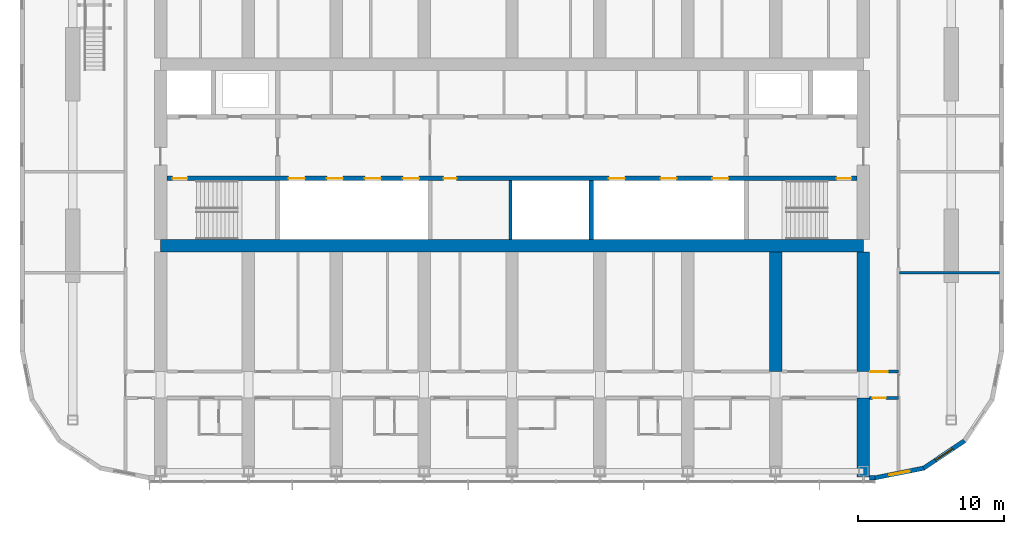
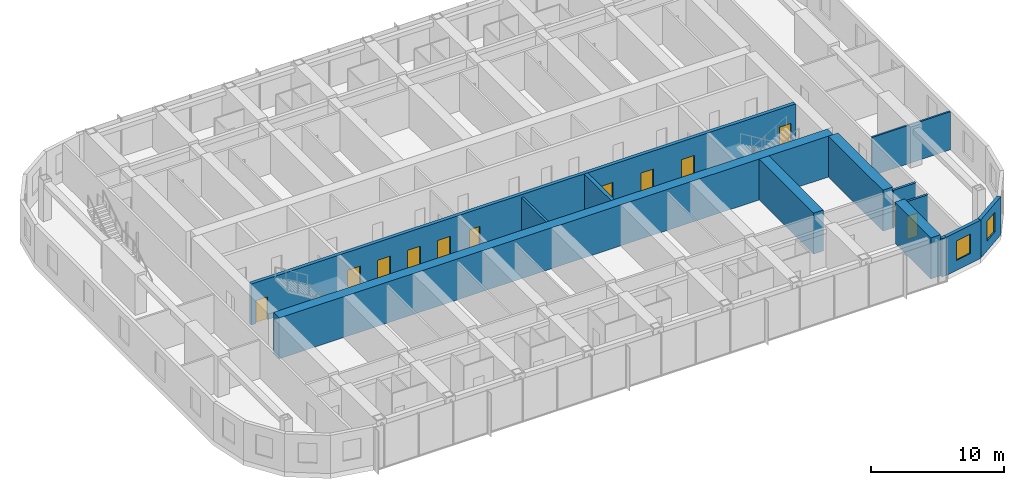
# One storey, part 17 of 29: 13 walls, 12 doors, 2 windows, 14 openings.
"""IFC4 building model written with IfcOpenShell, lengths in metres."""

from ifc_helpers import new_model, si_unit, direction, frame, frame_2d, origin, place, context, subcontext, project, spatial, polyline, rectangle, outline, extrude, material, layer, layer_set, type_object, element, fill, save


model = new_model("IFC4")

# Units and contexts
model_context = context("Model", 3, precision=1e-05, world=origin(), true_north=direction((0.0, 1.0)))
body_context = subcontext(model_context, "Body", "Model", "MODEL_VIEW")
ifc_project = project(units=[si_unit("LENGTHUNIT", "METRE"), si_unit("AREAUNIT", "SQUARE_METRE"), si_unit("VOLUMEUNIT", "CUBIC_METRE"), si_unit("PLANEANGLEUNIT", "RADIAN"), si_unit("MASSUNIT", "GRAM", prefix="KILO")], contexts=[model_context])

# Site, building, storey
site_placement = place(None, origin())
site = spatial("IfcSite", under=ifc_project, at=site_placement, CompositionType="ELEMENT")
building_placement = place(site_placement, origin())
building = spatial("IfcBuilding", under=site, at=building_placement, Name="Orbita Commons", CompositionType="ELEMENT")
storey_placement = place(building_placement, frame((0.0, 0.0, 163.60009765625)))
storey = spatial("IfcBuildingStorey", under=building, at=storey_placement, Name="L40", CompositionType="ELEMENT", Elevation=163.60009765625)

# Wall, openings, doors
ifc_material_1 = material(Name="Concrete C50/60", Category="concrete")
ifc_layer_1 = layer(ifc_material_1, 0.300048828125)
ifc_layer_set_1 = layer_set([ifc_layer_1], Name="Concrete C50/60")
wall_type_1 = type_object("IfcWallType", Name="Core inner wall 300 C50/60", PredefinedType="SHEAR", material=ifc_layer_set_1)
wall_1_placement = place(storey_placement, frame((18.425048828125, 30.39990234375, 0.0), z_axis=(0.0, 0.0, 1.0), x_axis=(1.0, 0.0, 0.0)))
wall_1 = element("IfcWall", 1, at=wall_1_placement, inside=storey, type_object=wall_type_1, Name="Lobby wall south L40", PredefinedType="SHEAR", context=body_context, shape_type="SweptSolid", body=[
    extrude(rectangle(XDim=47.14990234375, YDim=0.300048828125, at=frame_2d((23.574951171875, 0.0))), origin(), (0.0, 0.0, 1.0), 3.75),
])
opening_1_placement = place(wall_1_placement, frame((0.39990234375, 0.0, 0.0)))
opening_1 = element("IfcOpeningElement", 2, at=opening_1_placement, cuts=wall_1, Name="Opening D02", PredefinedType="OPENING", context=body_context, shape_type="SweptSolid", body=[
    extrude(rectangle(XDim=1.0, YDim=2.10009765625, at=frame_2d((0.5, 1.050048828125))), frame((0.0, 0.159912109375, 0.0), z_axis=(0.0, -1.0, 0.0), x_axis=(1.0, 0.0, 0.0)), (0.0, 0.0, 1.0), 0.320068359375),
])
opening_2_placement = place(wall_1_placement, frame((45.75, 0.0, 0.0)))
opening_2 = element("IfcOpeningElement", 3, at=opening_2_placement, cuts=wall_1, Name="Opening D02", PredefinedType="OPENING", context=body_context, shape_type="SweptSolid", body=[
    extrude(rectangle(XDim=1.0, YDim=2.10009765625, at=frame_2d((0.5, 1.050048828125))), frame((0.0, 0.159912109375, 0.0), z_axis=(0.0, -1.0, 0.0), x_axis=(1.0, 0.0, 0.0)), (0.0, 0.0, 1.0), 0.320068359375),
])
opening_3_placement = place(wall_1_placement, frame((8.324951171875, 0.0, 0.0)))
opening_3 = element("IfcOpeningElement", 4, at=opening_3_placement, cuts=wall_1, Name="Opening LD02", PredefinedType="OPENING", context=body_context, shape_type="SweptSolid", body=[
    extrude(rectangle(XDim=1.10009765625, YDim=2.10009765625, at=frame_2d((0.550048828125, 1.050048828125))), frame((0.0, 0.159912109375, 0.0), z_axis=(0.0, -1.0, 0.0), x_axis=(1.0, 0.0, 0.0)), (0.0, 0.0, 1.0), 0.320068359375),
])
opening_4_placement = place(wall_1_placement, frame((10.925048828125, 0.0, 0.0)))
opening_4 = element("IfcOpeningElement", 5, at=opening_4_placement, cuts=wall_1, Name="Opening LD02", PredefinedType="OPENING", context=body_context, shape_type="SweptSolid", body=[
    extrude(rectangle(XDim=1.10009765625, YDim=2.10009765625, at=frame_2d((0.550048828125, 1.050048828125))), frame((0.0, 0.159912109375, 0.0), z_axis=(0.0, -1.0, 0.0), x_axis=(1.0, 0.0, 0.0)), (0.0, 0.0, 1.0), 0.320068359375),
])
opening_5_placement = place(wall_1_placement, frame((13.52490234375, 0.0, 0.0)))
opening_5 = element("IfcOpeningElement", 6, at=opening_5_placement, cuts=wall_1, Name="Opening LD02", PredefinedType="OPENING", context=body_context, shape_type="SweptSolid", body=[
    extrude(rectangle(XDim=1.10009765625, YDim=2.10009765625, at=frame_2d((0.550048828125, 1.050048828125))), frame((0.0, 0.159912109375, 0.0), z_axis=(0.0, -1.0, 0.0), x_axis=(1.0, 0.0, 0.0)), (0.0, 0.0, 1.0), 0.320068359375),
])
opening_6_placement = place(wall_1_placement, frame((16.125, 0.0, 0.0)))
opening_6 = element("IfcOpeningElement", 7, at=opening_6_placement, cuts=wall_1, Name="Opening LD02", PredefinedType="OPENING", context=body_context, shape_type="SweptSolid", body=[
    extrude(rectangle(XDim=1.10009765625, YDim=2.10009765625, at=frame_2d((0.550048828125, 1.050048828125))), frame((0.0, 0.159912109375, 0.0), z_axis=(0.0, -1.0, 0.0), x_axis=(1.0, 0.0, 0.0)), (0.0, 0.0, 1.0), 0.320068359375),
])
opening_7_placement = place(wall_1_placement, frame((18.89990234375, 0.0, 0.0)))
opening_7 = element("IfcOpeningElement", 8, at=opening_7_placement, cuts=wall_1, Name="Opening D05", PredefinedType="OPENING", context=body_context, shape_type="SweptSolid", body=[
    extrude(rectangle(XDim=0.89990234375, YDim=2.10009765625, at=frame_2d((0.449951171875, 1.050048828125))), frame((0.0, 0.159912109375, 0.0), z_axis=(0.0, -1.0, 0.0), x_axis=(1.0, 0.0, 0.0)), (0.0, 0.0, 1.0), 0.320068359375),
])
opening_8_placement = place(wall_1_placement, frame((30.191650390625, 0.0, 0.0)))
opening_8 = element("IfcOpeningElement", 9, at=opening_8_placement, cuts=wall_1, Name="Opening LD02", PredefinedType="OPENING", context=body_context, shape_type="SweptSolid", body=[
    extrude(rectangle(XDim=1.10009765625, YDim=2.10009765625, at=frame_2d((0.550048828125, 1.050048828125))), frame((0.0, 0.159912109375, 0.0), z_axis=(0.0, -1.0, 0.0), x_axis=(1.0, 0.0, 0.0)), (0.0, 0.0, 1.0), 0.320068359375),
])
opening_9_placement = place(wall_1_placement, frame((33.72509765625, 0.0, 0.0)))
opening_9 = element("IfcOpeningElement", 10, at=opening_9_placement, cuts=wall_1, Name="Opening LD02", PredefinedType="OPENING", context=body_context, shape_type="SweptSolid", body=[
    extrude(rectangle(XDim=1.10009765625, YDim=2.10009765625, at=frame_2d((0.550048828125, 1.050048828125))), frame((0.0, 0.159912109375, 0.0), z_axis=(0.0, -1.0, 0.0), x_axis=(1.0, 0.0, 0.0)), (0.0, 0.0, 1.0), 0.320068359375),
])
opening_10_placement = place(wall_1_placement, frame((37.25830078125, 0.0, 0.0)))
opening_10 = element("IfcOpeningElement", 11, at=opening_10_placement, cuts=wall_1, Name="Opening LD02", PredefinedType="OPENING", context=body_context, shape_type="SweptSolid", body=[
    extrude(rectangle(XDim=1.10009765625, YDim=2.10009765625, at=frame_2d((0.550048828125, 1.050048828125))), frame((0.0, 0.159912109375, 0.0), z_axis=(0.0, -1.0, 0.0), x_axis=(1.0, 0.0, 0.0)), (0.0, 0.0, 1.0), 0.320068359375),
])
ifc_material_2 = material(Name="Steel-faced fire door leaf", Category="steel")
door_type_1 = type_object("IfcDoorType", Name="Fire door 90 min 1000x2100", OperationType="SINGLE_SWING_LEFT", PredefinedType="DOOR", material=ifc_material_2)
door_1_placement = place(opening_1_placement, origin())
door_1 = element("IfcDoor", 12, at=door_1_placement, inside=storey, type_object=door_type_1, Name="Stair S1 door", OperationType="SINGLE_SWING_LEFT", OverallHeight=2.10009765625, OverallWidth=1.0, PredefinedType="DOOR", context=body_context, shape_type="SweptSolid", body=[
    extrude(rectangle(XDim=1.0, YDim=2.10009765625, at=frame_2d((0.5, 1.050048828125))), frame((0.0, 0.02490234375, 0.0), z_axis=(0.0, -1.0, 0.0), x_axis=(1.0, 0.0, 0.0)), (0.0, 0.0, 1.0), 0.050048828125),
])
fill(opening_1, door_1)
door_2_placement = place(opening_2_placement, origin())
door_2 = element("IfcDoor", 13, at=door_2_placement, inside=storey, type_object=door_type_1, Name="Stair S2 door", OperationType="SINGLE_SWING_LEFT", OverallHeight=2.10009765625, OverallWidth=1.0, PredefinedType="DOOR", context=body_context, shape_type="SweptSolid", body=[
    extrude(rectangle(XDim=1.0, YDim=2.10009765625, at=frame_2d((0.5, 1.050048828125))), frame((0.0, 0.02490234375, 0.0), z_axis=(0.0, -1.0, 0.0), x_axis=(1.0, 0.0, 0.0)), (0.0, 0.0, 1.0), 0.050048828125),
])
fill(opening_2, door_2)
ifc_material_3 = material(Name="Steel-faced fire door leaf", Category="steel")
door_type_2 = type_object("IfcDoorType", Name="Lift landing door 1100x2100", OperationType="DOUBLE_DOOR_SLIDING", PredefinedType="DOOR", material=ifc_material_3)
door_3_placement = place(opening_3_placement, origin())
door_3 = element("IfcDoor", 14, at=door_3_placement, inside=storey, type_object=door_type_2, Name="Lift P31 landing door", OperationType="DOUBLE_DOOR_SLIDING", OverallHeight=2.10009765625, OverallWidth=1.10009765625, PredefinedType="DOOR", context=body_context, shape_type="SweptSolid", body=[
    extrude(rectangle(XDim=1.10009765625, YDim=2.10009765625, at=frame_2d((0.550048828125, 1.050048828125))), frame((0.0, 0.02490234375, 0.0), z_axis=(0.0, -1.0, 0.0), x_axis=(1.0, 0.0, 0.0)), (0.0, 0.0, 1.0), 0.050048828125),
])
fill(opening_3, door_3)
door_4_placement = place(opening_4_placement, origin())
door_4 = element("IfcDoor", 15, at=door_4_placement, inside=storey, type_object=door_type_2, Name="Lift P32 landing door", OperationType="DOUBLE_DOOR_SLIDING", OverallHeight=2.10009765625, OverallWidth=1.10009765625, PredefinedType="DOOR", context=body_context, shape_type="SweptSolid", body=[
    extrude(rectangle(XDim=1.10009765625, YDim=2.10009765625, at=frame_2d((0.550048828125, 1.050048828125))), frame((0.0, 0.02490234375, 0.0), z_axis=(0.0, -1.0, 0.0), x_axis=(1.0, 0.0, 0.0)), (0.0, 0.0, 1.0), 0.050048828125),
])
fill(opening_4, door_4)
door_5_placement = place(opening_5_placement, origin())
door_5 = element("IfcDoor", 16, at=door_5_placement, inside=storey, type_object=door_type_2, Name="Lift P33 landing door", OperationType="DOUBLE_DOOR_SLIDING", OverallHeight=2.10009765625, OverallWidth=1.10009765625, PredefinedType="DOOR", context=body_context, shape_type="SweptSolid", body=[
    extrude(rectangle(XDim=1.10009765625, YDim=2.10009765625, at=frame_2d((0.550048828125, 1.050048828125))), frame((0.0, 0.02490234375, 0.0), z_axis=(0.0, -1.0, 0.0), x_axis=(1.0, 0.0, 0.0)), (0.0, 0.0, 1.0), 0.050048828125),
])
fill(opening_5, door_5)
door_6_placement = place(opening_6_placement, origin())
door_6 = element("IfcDoor", 17, at=door_6_placement, inside=storey, type_object=door_type_2, Name="Lift P34 landing door", OperationType="DOUBLE_DOOR_SLIDING", OverallHeight=2.10009765625, OverallWidth=1.10009765625, PredefinedType="DOOR", context=body_context, shape_type="SweptSolid", body=[
    extrude(rectangle(XDim=1.10009765625, YDim=2.10009765625, at=frame_2d((0.550048828125, 1.050048828125))), frame((0.0, 0.02490234375, 0.0), z_axis=(0.0, -1.0, 0.0), x_axis=(1.0, 0.0, 0.0)), (0.0, 0.0, 1.0), 0.050048828125),
])
fill(opening_6, door_6)
door_7_placement = place(opening_8_placement, origin())
door_7 = element("IfcDoor", 18, at=door_7_placement, inside=storey, type_object=door_type_2, Name="Lift SV1 landing door", OperationType="DOUBLE_DOOR_SLIDING", OverallHeight=2.10009765625, OverallWidth=1.10009765625, PredefinedType="DOOR", context=body_context, shape_type="SweptSolid", body=[
    extrude(rectangle(XDim=1.10009765625, YDim=2.10009765625, at=frame_2d((0.550048828125, 1.050048828125))), frame((0.0, 0.02490234375, 0.0), z_axis=(0.0, -1.0, 0.0), x_axis=(1.0, 0.0, 0.0)), (0.0, 0.0, 1.0), 0.050048828125),
])
fill(opening_8, door_7)
door_8_placement = place(opening_9_placement, origin())
door_8 = element("IfcDoor", 19, at=door_8_placement, inside=storey, type_object=door_type_2, Name="Lift SV2 landing door", OperationType="DOUBLE_DOOR_SLIDING", OverallHeight=2.10009765625, OverallWidth=1.10009765625, PredefinedType="DOOR", context=body_context, shape_type="SweptSolid", body=[
    extrude(rectangle(XDim=1.10009765625, YDim=2.10009765625, at=frame_2d((0.550048828125, 1.050048828125))), frame((0.0, 0.02490234375, 0.0), z_axis=(0.0, -1.0, 0.0), x_axis=(1.0, 0.0, 0.0)), (0.0, 0.0, 1.0), 0.050048828125),
])
fill(opening_9, door_8)
door_9_placement = place(opening_10_placement, origin())
door_9 = element("IfcDoor", 20, at=door_9_placement, inside=storey, type_object=door_type_2, Name="Lift SV3 landing door", OperationType="DOUBLE_DOOR_SLIDING", OverallHeight=2.10009765625, OverallWidth=1.10009765625, PredefinedType="DOOR", context=body_context, shape_type="SweptSolid", body=[
    extrude(rectangle(XDim=1.10009765625, YDim=2.10009765625, at=frame_2d((0.550048828125, 1.050048828125))), frame((0.0, 0.02490234375, 0.0), z_axis=(0.0, -1.0, 0.0), x_axis=(1.0, 0.0, 0.0)), (0.0, 0.0, 1.0), 0.050048828125),
])
fill(opening_10, door_9)
ifc_material_4 = material(Name="Steel-faced fire door leaf", Category="steel")
door_type_3 = type_object("IfcDoorType", Name="Service door 20 min 900x2100", OperationType="SINGLE_SWING_LEFT", PredefinedType="DOOR", material=ifc_material_4)
door_10_placement = place(opening_7_placement, origin())
door_10 = element("IfcDoor", 21, at=door_10_placement, inside=storey, type_object=door_type_3, Name="Telecoms room door", OperationType="SINGLE_SWING_LEFT", OverallHeight=2.10009765625, OverallWidth=0.89990234375, PredefinedType="DOOR", context=body_context, shape_type="SweptSolid", body=[
    extrude(rectangle(XDim=0.89990234375, YDim=2.10009765625, at=frame_2d((0.449951171875, 1.050048828125))), frame((0.0, 0.02490234375, 0.0), z_axis=(0.0, -1.0, 0.0), x_axis=(1.0, 0.0, 0.0)), (0.0, 0.0, 1.0), 0.050048828125),
])
fill(opening_7, door_10)

# Walls
wall_2_placement = place(storey_placement, frame((47.39990234375, 26.22509765625, 0.0), z_axis=(0.0, 0.0, 1.0), x_axis=(0.0, 1.0, 0.0)))
element("IfcWall", 22, at=wall_2_placement, inside=storey, type_object=wall_type_1, Name="Hoistway division wall L40", PredefinedType="SHEAR", context=body_context, shape_type="SweptSolid", body=[
    extrude(rectangle(XDim=4.02490234375, YDim=0.300048828125, at=frame_2d((2.012451171875, 0.0))), origin(), (0.0, 0.0, 1.0), 3.75),
])
ifc_material_5 = material(Name="Concrete C50/60", Category="concrete")
ifc_layer_2 = layer(ifc_material_5, 0.85009765625)
ifc_layer_set_2 = layer_set([ifc_layer_2], Name="Concrete C50/60")
wall_type_2 = type_object("IfcWallType", Name="Core wall 850 C50/60", PredefinedType="SHEAR", material=ifc_layer_set_2)
wall_3_placement = place(storey_placement, frame((18.0, 25.800048828125, 0.0), z_axis=(0.0, 0.0, 1.0), x_axis=(1.0, 0.0, 0.0)))
element("IfcWall", 23, at=wall_3_placement, inside=storey, type_object=wall_type_2, Name="Core spine wall south L40", PredefinedType="SHEAR", context=body_context, shape_type="SweptSolid", body=[
    extrude(rectangle(XDim=48.0, YDim=0.85009765625, at=frame_2d((24.0, 0.0))), origin(), (0.0, 0.0, 1.0), 3.75),
])

# Wall, opening, door
ifc_material_6 = material(Name="Concrete blockwork", Category="masonry")
ifc_layer_3 = layer(ifc_material_6, 0.199951171875)
ifc_layer_set_3 = layer_set([ifc_layer_3], Name="Concrete blockwork")
wall_type_3 = type_object("IfcWallType", Name="Corridor wall 200 blockwork", PredefinedType="SOLIDWALL", material=ifc_layer_set_3)
wall_4_placement = place(storey_placement, frame((66.425048828125, 15.39990234375, 0.0), z_axis=(0.0, 0.0, 1.0), x_axis=(1.0, 0.0, 0.0)))
wall_4 = element("IfcWall", 24, at=wall_4_placement, inside=storey, type_object=wall_type_3, Name="Corridor wall 200 blockwork L40", PredefinedType="SOLIDWALL", context=body_context, shape_type="SweptSolid", body=[
    extrude(rectangle(XDim=1.974853515625, YDim=0.199951171875, at=frame_2d((0.9873046875, 0.0))), origin(), (0.0, 0.0, 1.0), 3.5),
])
opening_11_placement = place(wall_4_placement, frame((0.199951171875, 0.0, 0.0)))
opening_11 = element("IfcOpeningElement", 25, at=opening_11_placement, cuts=wall_4, Name="Opening D05", PredefinedType="OPENING", context=body_context, shape_type="SweptSolid", body=[
    extrude(rectangle(XDim=0.89990234375, YDim=2.10009765625, at=frame_2d((0.449951171875, 1.050048828125))), frame((0.0, 0.10986328125, 0.0), z_axis=(0.0, -1.0, 0.0), x_axis=(1.0, 0.0, 0.0)), (0.0, 0.0, 1.0), 0.219970703125),
])
door_11_placement = place(opening_11_placement, origin())
door_11 = element("IfcDoor", 26, at=door_11_placement, inside=storey, type_object=door_type_3, Name="Linen store L40-KES door", OperationType="SINGLE_SWING_LEFT", OverallHeight=2.10009765625, OverallWidth=0.89990234375, PredefinedType="DOOR", context=body_context, shape_type="SweptSolid", body=[
    extrude(rectangle(XDim=0.89990234375, YDim=2.10009765625, at=frame_2d((0.449951171875, 1.050048828125))), frame((0.0, 0.02490234375, 0.0), z_axis=(0.0, -1.0, 0.0), x_axis=(1.0, 0.0, 0.0)), (0.0, 0.0, 1.0), 0.050048828125),
])
fill(opening_11, door_11)

ifc_material_7 = material(Name="Hollow concrete block 200", Category="concrete")
ifc_layer_4 = layer(ifc_material_7, 0.199951171875)
ifc_layer_set_4 = layer_set([ifc_layer_4], Name="Hollow concrete block 200")
wall_type_4 = type_object("IfcWallType", Name="Corridor wall 200 hollow concrete block", PredefinedType="SOLIDWALL", material=ifc_layer_set_4)
wall_5_placement = place(storey_placement, frame((66.425048828125, 17.199951171875, 0.0), z_axis=(0.0, 0.0, 1.0), x_axis=(1.0, 0.0, 0.0)))
wall_5 = element("IfcWall", 27, at=wall_5_placement, inside=storey, type_object=wall_type_4, Name="Corridor wall 200 hollow concrete block L40", PredefinedType="SOLIDWALL", context=body_context, shape_type="SweptSolid", body=[
    extrude(rectangle(XDim=1.974853515625, YDim=0.199951171875, at=frame_2d((0.9873046875, 0.0))), origin(), (0.0, 0.0, 1.0), 3.5),
])
opening_12_placement = place(wall_5_placement, frame((0.050048828125, 0.0, 0.0)))
opening_12 = element("IfcOpeningElement", 28, at=opening_12_placement, cuts=wall_5, Name="Opening D12", PredefinedType="OPENING", context=body_context, shape_type="SweptSolid", body=[
    extrude(rectangle(XDim=1.199951171875, YDim=2.10009765625, at=frame_2d((0.60009765625, 1.050048828125))), frame((0.0, 0.10986328125, 0.0), z_axis=(0.0, -1.0, 0.0), x_axis=(1.0, 0.0, 0.0)), (0.0, 0.0, 1.0), 0.219970703125),
])
ifc_material_8 = material(Name="Steel-faced fire door leaf", Category="steel")
door_type_4 = type_object("IfcDoorType", Name="Double corridor door 20 min 1200x2100", OperationType="DOUBLE_DOOR_SINGLE_SWING", PredefinedType="DOOR", material=ifc_material_8)
door_12_placement = place(opening_12_placement, origin())
door_12 = element("IfcDoor", 29, at=door_12_placement, inside=storey, type_object=door_type_4, Name="Cross corridor doors", OperationType="DOUBLE_DOOR_SINGLE_SWING", OverallHeight=2.10009765625, OverallWidth=1.199951171875, PredefinedType="DOOR", context=body_context, shape_type="SweptSolid", body=[
    extrude(rectangle(XDim=1.199951171875, YDim=2.10009765625, at=frame_2d((0.60009765625, 1.050048828125))), frame((0.0, 0.02490234375, 0.0), z_axis=(0.0, -1.0, 0.0), x_axis=(1.0, 0.0, 0.0)), (0.0, 0.0, 1.0), 0.050048828125),
])
fill(opening_12, door_12)

# Walls
ifc_material_9 = material(Name="Concrete C50/60", Category="concrete")
ifc_layer_5 = layer(ifc_material_9, 0.85009765625)
ifc_layer_set_5 = layer_set([ifc_layer_5], Name="Concrete C50/60")
wall_type_5 = type_object("IfcWallType", Name="Cross wall 850 C50/60", PredefinedType="SHEAR", material=ifc_layer_set_5)
wall_6_placement = place(storey_placement, frame((60.0, 17.199951171875, 0.0), z_axis=(0.0, 0.0, 1.0), x_axis=(0.0, 1.0, 0.0)))
element("IfcWall", 30, at=wall_6_placement, inside=storey, type_object=wall_type_5, Name="Cross wall 11 south inner L40", PredefinedType="SHEAR", context=body_context, shape_type="SweptSolid", body=[
    extrude(rectangle(XDim=8.175048828125, YDim=0.85009765625, at=frame_2d((4.08740234375, 0.0))), origin(), (0.0, 0.0, 1.0), 3.75),
])
wall_7_placement = place(storey_placement, frame((66.0, 10.0, 0.0), z_axis=(0.0, 0.0, 1.0), x_axis=(0.0, 1.0, 0.0)))
element("IfcWall", 31, at=wall_7_placement, inside=storey, type_object=wall_type_5, Name="Cross wall 12 south outer L40", PredefinedType="SHEAR", context=body_context, shape_type="SweptSolid", body=[
    extrude(rectangle(XDim=5.39990234375, YDim=0.85009765625, at=frame_2d((2.699951171875, 0.0))), origin(), (0.0, 0.0, 1.0), 3.75),
])
wall_8_placement = place(storey_placement, frame((66.0, 17.199951171875, 0.0), z_axis=(0.0, 0.0, 1.0), x_axis=(0.0, 1.0, 0.0)))
element("IfcWall", 32, at=wall_8_placement, inside=storey, type_object=wall_type_5, Name="Cross wall 12 south inner L40", PredefinedType="SHEAR", context=body_context, shape_type="SweptSolid", body=[
    extrude(rectangle(XDim=8.175048828125, YDim=0.85009765625, at=frame_2d((4.08740234375, 0.0))), origin(), (0.0, 0.0, 1.0), 3.75),
])
ifc_material_10 = material(Name="Gypsum plasterboard on steel studs", Category="steel")
ifc_layer_6 = layer(ifc_material_10, 0.14990234375)
ifc_layer_set_6 = layer_set([ifc_layer_6], Name="Gypsum plasterboard on steel studs")
wall_type_6 = type_object("IfcWallType", Name="Partition 150 plasterboard", PredefinedType="PARTITIONING", material=ifc_layer_set_6)
wall_9_placement = place(storey_placement, frame((68.47509765625, 23.9599609375, 0.0), z_axis=(0.0, 0.0, 1.0), x_axis=(1.0, 0.0, 0.0)))
element("IfcWall", 33, at=wall_9_placement, inside=storey, type_object=wall_type_6, Name="Partition 150 plasterboard L40", PredefinedType="PARTITIONING", context=body_context, shape_type="SweptSolid", body=[
    extrude(rectangle(XDim=6.81982421875, YDim=0.14990234375, at=frame_2d((3.409912109375, 0.0))), origin(), (0.0, 0.0, 1.0), 3.5),
])

# Wall, opening, window
ifc_material_11 = material(Name="Precast concrete C40/50, white board-marked finish", Category="concrete")
ifc_layer_7 = layer(ifc_material_11, 0.300048828125)
ifc_layer_set_7 = layer_set([ifc_layer_7], Name="Precast concrete C40/50, white board-marked finish")
wall_type_7 = type_object("IfcWallType", Name="Precast concrete end shield 300", PredefinedType="SOLIDWALL", material=ifc_layer_set_7)
wall_10_placement = place(storey_placement, frame((66.800048828125, 9.949951171875, 0.0), z_axis=(0.0, 0.0, 1.0), x_axis=(0.98078325777, 0.195100490205, 0.0)))
wall_10 = element("IfcWall", 34, at=wall_10_placement, inside=storey, type_object=wall_type_7, Name="End shield SE chord 1 L40", PredefinedType="SOLIDWALL", context=body_context, shape_type="SweptSolid", body=[
    extrude(outline(polyline([(-0.02978515625, -0.14990234375), (3.40478515625, -0.14990234375), (3.34521484375, 0.14990234375), (0.02978515625, 0.14990234375), (-0.02978515625, -0.14990234375)])), origin(), (0.0, 0.0, 1.0), 3.5),
])
opening_13_placement = place(wall_10_placement, frame((0.987548828125, 0.0, 0.89990234375)))
opening_13 = element("IfcOpeningElement", 35, at=opening_13_placement, cuts=wall_10, Name="Opening W02", PredefinedType="OPENING", context=body_context, shape_type="SweptSolid", body=[
    extrude(rectangle(XDim=1.39990234375, YDim=1.800048828125, at=frame_2d((0.699951171875, 0.89990234375))), frame((0.0, 0.159912109375, 0.0), z_axis=(0.0, -1.0, 0.0), x_axis=(1.0, 0.0, 0.0)), (0.0, 0.0, 1.0), 0.320068359375),
])
ifc_material_12 = material(Name="Aluminium frame, clear double glazing", Category="aluminium")
window_type = type_object("IfcWindowType", Name="Deep-set window 1400x1800", PartitioningType="SINGLE_PANEL", PredefinedType="WINDOW", material=ifc_material_12)
window_1_placement = place(opening_13_placement, origin())
window_1 = element("IfcWindow", 36, at=window_1_placement, inside=storey, type_object=window_type, Name="Window L40-SE0", OverallHeight=1.800048828125, OverallWidth=1.39990234375, PartitioningType="SINGLE_PANEL", PredefinedType="WINDOW", context=body_context, shape_type="SweptSolid", body=[
    extrude(rectangle(XDim=1.39990234375, YDim=1.800048828125, at=frame_2d((0.699951171875, 0.89990234375))), frame((0.0, 0.030029296875, 0.0), z_axis=(0.0, -1.0, 0.0), x_axis=(1.0, 0.0, 0.0)), (0.0, 0.0, 1.0), 0.06005859375),
])
fill(opening_13, window_1)

wall_11_placement = place(storey_placement, frame((70.110107421875, 10.6083984375, 0.0), z_axis=(0.0, 0.0, 1.0), x_axis=(0.831493450887, 0.555534554399, 0.0)))
wall_11 = element("IfcWall", 37, at=wall_11_placement, inside=storey, type_object=wall_type_7, Name="End shield SE chord 2 L40", PredefinedType="SOLIDWALL", context=body_context, shape_type="SweptSolid", body=[
    extrude(outline(polyline([(-0.02978515625, -0.14990234375), (3.405029296875, -0.14990234375), (3.345458984375, 0.14990234375), (0.02978515625, 0.14990234375), (-0.02978515625, -0.14990234375)])), origin(), (0.0, 0.0, 1.0), 3.5),
])
opening_14_placement = place(wall_11_placement, frame((0.987548828125, 0.0, 0.89990234375)))
opening_14 = element("IfcOpeningElement", 38, at=opening_14_placement, cuts=wall_11, Name="Opening W02", PredefinedType="OPENING", context=body_context, shape_type="SweptSolid", body=[
    extrude(rectangle(XDim=1.39990234375, YDim=1.800048828125, at=frame_2d((0.699951171875, 0.89990234375))), frame((0.0, 0.159912109375, 0.0), z_axis=(0.0, -1.0, 0.0), x_axis=(1.0, 0.0, 0.0)), (0.0, 0.0, 1.0), 0.320068359375),
])
window_2_placement = place(opening_14_placement, origin())
window_2 = element("IfcWindow", 39, at=window_2_placement, inside=storey, type_object=window_type, Name="Window L40-SE1", OverallHeight=1.800048828125, OverallWidth=1.39990234375, PartitioningType="SINGLE_PANEL", PredefinedType="WINDOW", context=body_context, shape_type="SweptSolid", body=[
    extrude(rectangle(XDim=1.39990234375, YDim=1.800048828125, at=frame_2d((0.699951171875, 0.89990234375))), frame((0.0, 0.030029296875, 0.0), z_axis=(0.0, -1.0, 0.0), x_axis=(1.0, 0.0, 0.0)), (0.0, 0.0, 1.0), 0.06005859375),
])
fill(opening_14, window_2)

# Walls
wall_12_placement = place(storey_placement, frame((66.800048828125, 9.949951171875, 0.0), z_axis=(0.0, 0.0, 1.0), x_axis=(-1.0, 0.0, 0.0)))
element("IfcWall", 40, at=wall_12_placement, inside=storey, type_object=wall_type_7, Name="End shield SE closer L40", PredefinedType="SOLIDWALL", context=body_context, shape_type="SweptSolid", body=[
    extrude(rectangle(XDim=0.375, YDim=0.300048828125, at=frame_2d((0.1875, 0.0))), origin(), (0.0, 0.0, 1.0), 3.5),
])
ifc_material_13 = material(Name="Concrete blockwork, fully filled", Category="masonry")
ifc_layer_8 = layer(ifc_material_13, 0.199951171875)
ifc_layer_set_8 = layer_set([ifc_layer_8], Name="Concrete blockwork, fully filled")
wall_type_8 = type_object("IfcWallType", Name="Shaft partition 200 blockwork", PredefinedType="SOLIDWALL", material=ifc_layer_set_8)
wall_13_placement = place(storey_placement, frame((41.89990234375, 26.22509765625, 0.0), z_axis=(0.0, 0.0, 1.0), x_axis=(0.0, 1.0, 0.0)))
element("IfcWall", 41, at=wall_13_placement, inside=storey, type_object=wall_type_8, Name="Shaft partition 200 blockwork L40", PredefinedType="SOLIDWALL", context=body_context, shape_type="SweptSolid", body=[
    extrude(rectangle(XDim=4.02490234375, YDim=0.199951171875, at=frame_2d((2.012451171875, 0.0))), origin(), (0.0, 0.0, 1.0), 3.5),
])

save(model, "model.ifc")
